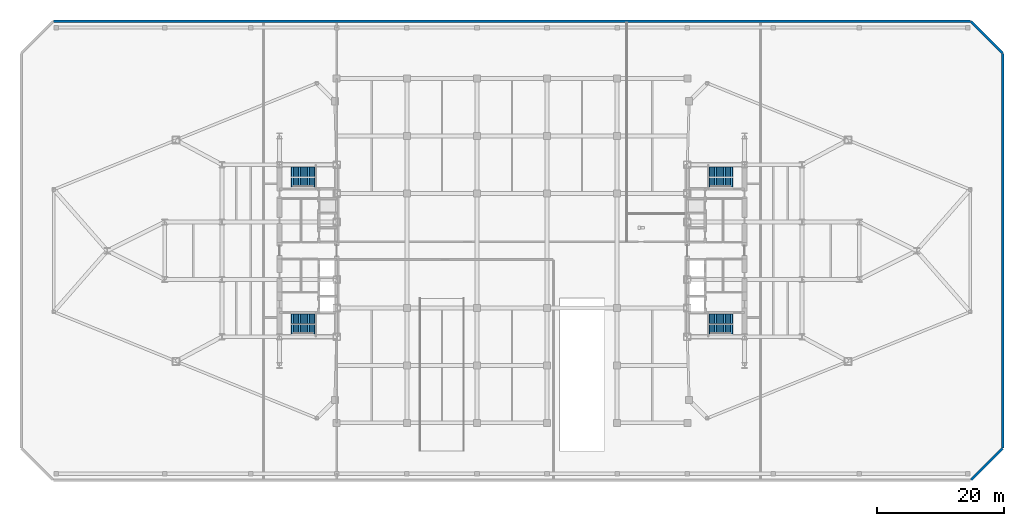
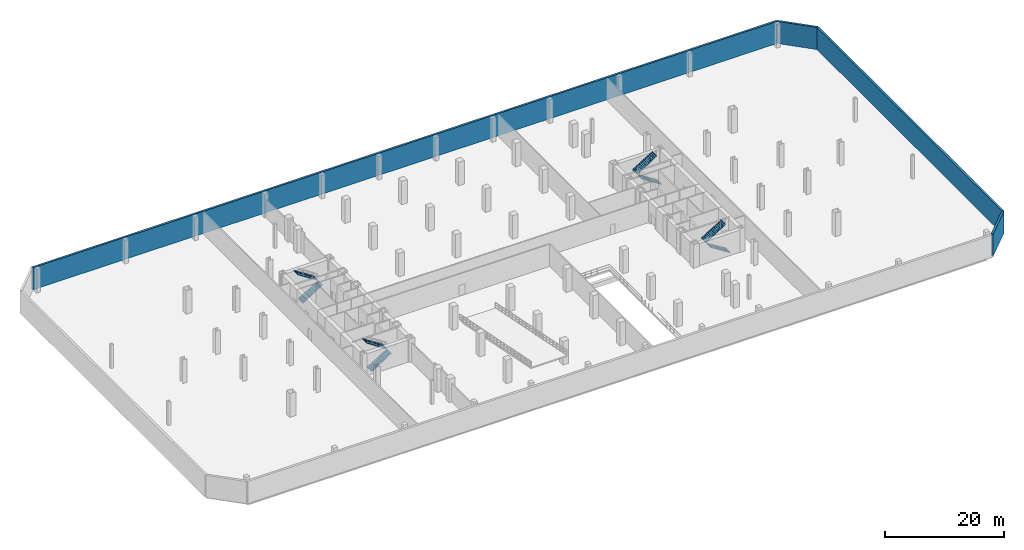
# One storey, part 15 of 18: 8 stair flights, 4 walls, 4 elements without a shape of their own.
"""IFC4 building model written with IfcOpenShell, lengths in metres."""

import ifcopenshell
import ifcopenshell.guid

model = None  # the IFC model being written
_history = None  # IfcOwnerHistory: only IFC2X3 demands one
_inside = {}  # id of a spatial element -> (the spatial element, [elements in it])
_under = {}  # id of a project, library or spatial element -> (it, [spatial elements below it])
_declared = {}  # id of a project -> (the project, [libraries it declares])
_typed = {}  # id of a type object -> (the type object, [elements of that type])
_made_of = {}  # id of a material, layer set ... -> (it, [elements and type objects made of it])


def new_model(schema):
    """Start an empty IFC model of exactly this schema.

    Asked for "IFC4X3", IfcOpenShell would pick the latest addendum, in which some entities
    have other attributes; the version numbers below select the first issue.
    IFC2X3 requires an IfcOwnerHistory on every rooted entity: one is made here for all.
    """
    global model, _history
    if schema == "IFC4X3":
        model = ifcopenshell.file(schema_version=(4, 3, 0, 0))
    else:
        model = ifcopenshell.file(schema=schema)
    _inside.clear()
    _under.clear()
    _declared.clear()
    _typed.clear()
    _made_of.clear()
    _history = None
    if model.schema == "IFC2X3":
        org = make("IfcOrganization", Name="unknown")
        user = make(
            "IfcPersonAndOrganization",
            ThePerson=make("IfcPerson", FamilyName="unknown"),
            TheOrganization=org,
        )
        app = make(
            "IfcApplication",
            ApplicationDeveloper=org,
            Version="unknown",
            ApplicationFullName="unknown",
            ApplicationIdentifier="unknown",
        )
        _history = make(
            "IfcOwnerHistory",
            OwningUser=user,
            OwningApplication=app,
            ChangeAction="ADDED",
            CreationDate=0,
        )
    return model


def make(cls, **values):
    """One entity of the class cls with the attributes given. An attribute that is None is left unset."""
    return model.create_entity(
        cls, **{name: value for name, value in values.items() if value is not None}
    )


def rooted(cls, **values):
    """An entity with a GlobalId (a new one), such as an element, a storey or a relation."""
    return make(cls, GlobalId=ifcopenshell.guid.new(), OwnerHistory=_history, **values)


def si_unit(unit_type, name, prefix=None):
    """IfcSIUnit, for example si_unit("LENGTHUNIT", "METRE", prefix="MILLI")."""
    return make("IfcSIUnit", UnitType=unit_type, Prefix=prefix, Name=name)


def assignment(units):
    """IfcUnitAssignment: the units of a project."""
    return None if units is None else make("IfcUnitAssignment", Units=units)


def point(xyz):
    """IfcCartesianPoint."""
    return None if xyz is None else make("IfcCartesianPoint", Coordinates=xyz)


def direction(xyz):
    """IfcDirection."""
    return None if xyz is None else make("IfcDirection", DirectionRatios=xyz)


def frame(location, z_axis=None, x_axis=None):
    """IfcAxis2Placement3D, a coordinate frame: its origin and axes. An axis left out is left unset."""
    return make(
        "IfcAxis2Placement3D",
        Location=point(location),
        Axis=direction(z_axis),
        RefDirection=direction(x_axis),
    )


def frame_2d(location, x_axis=None):
    """IfcAxis2Placement2D, a coordinate frame in the plane: its origin and x axis."""
    return make(
        "IfcAxis2Placement2D", Location=point(location), RefDirection=direction(x_axis)
    )


def origin():
    """The frame at (0, 0, 0) with its axes left unset."""
    return frame((0.0, 0.0, 0.0))


def place(relative_to, where):
    """IfcLocalPlacement: puts the frame where relative to a parent placement (None: the world)."""
    return make(
        "IfcLocalPlacement", PlacementRelTo=relative_to, RelativePlacement=where
    )


def context(
    kind, dimensions, precision=None, world=None, true_north=None, identifier=None
):
    """IfcGeometricRepresentationContext, for example the 3D "Model" context."""
    return make(
        "IfcGeometricRepresentationContext",
        ContextIdentifier=identifier,
        ContextType=kind,
        CoordinateSpaceDimension=dimensions,
        Precision=precision,
        WorldCoordinateSystem=world,
        TrueNorth=true_north,
    )


def subcontext(parent, identifier, kind, view, scale=None):
    """IfcGeometricRepresentationSubContext, for example "Body" below "Model"."""
    return make(
        "IfcGeometricRepresentationSubContext",
        ContextIdentifier=identifier,
        ContextType=kind,
        ParentContext=parent,
        TargetScale=scale,
        TargetView=view,
    )


def project(units=None, contexts=None):
    """IfcProject with its units and contexts."""
    return rooted(
        "IfcProject",
        Name="project",
        RepresentationContexts=contexts,
        UnitsInContext=assignment(units),
    )


def spatial(cls, under=None, at=None, **own):
    """A site, building, storey or space (cls), placed at a placement, below another one or the project."""
    s = rooted(cls, ObjectPlacement=at, **own)
    if under is not None:
        _under.setdefault(under.id(), (under, []))[1].append(s)
    return s


def polyline(points):
    """IfcPolyline through the points."""
    return make("IfcPolyline", Points=[point(p) for p in points])


def profile(cls, at=None, kind="AREA", **sizes):
    """A parametric profile (cls). Its sizes go by their IFC names, for example OverallWidth=200.0."""
    return make(cls, ProfileType=kind, Position=at, **sizes)


def rectangle(**sizes):
    """IfcRectangleProfileDef."""
    return profile("IfcRectangleProfileDef", **sizes)


def outline(outer, holes=None, kind="AREA"):
    """IfcArbitraryClosedProfileDef: a profile drawn as a closed curve; with holes, ...WithVoids."""
    if holes is None:
        return make("IfcArbitraryClosedProfileDef", ProfileType=kind, OuterCurve=outer)
    return make(
        "IfcArbitraryProfileDefWithVoids",
        ProfileType=kind,
        OuterCurve=outer,
        InnerCurves=holes,
    )


def extrude(swept, where, along, depth):
    """IfcExtrudedAreaSolid: the profile swept, set in the frame where, extruded along a direction by depth."""
    return make(
        "IfcExtrudedAreaSolid",
        SweptArea=swept,
        Position=where,
        ExtrudedDirection=direction(along),
        Depth=depth,
    )


def shape(context_of_items, identifier, shape_type, items):
    """IfcShapeRepresentation: the items that make up one representation, for example the "Body"."""
    return make(
        "IfcShapeRepresentation",
        ContextOfItems=context_of_items,
        RepresentationIdentifier=identifier,
        RepresentationType=shape_type,
        Items=items,
    )


def material(Name=None, Category=None):
    """IfcMaterial."""
    return make("IfcMaterial", Name=Name, Category=Category)


def layer(
    of_material, thickness, ventilated=None, Name=None, Category=None, Priority=None
):
    """IfcMaterialLayer: one layer of a wall or slab, of a material (None: an air gap)."""
    return make(
        "IfcMaterialLayer",
        Material=of_material,
        LayerThickness=thickness,
        IsVentilated=ventilated,
        Name=Name,
        Category=Category,
        Priority=Priority,
    )


def layer_set(layers, Name=None):
    """IfcMaterialLayerSet."""
    return make("IfcMaterialLayerSet", MaterialLayers=layers, LayerSetName=Name)


def made_of(thing, what):
    """Note that an element or type object is made of a material, layer set ...; save() writes the relation."""
    if what is not None:
        _made_of.setdefault(what.id(), (what, []))[1].append(thing)
    return thing


def type_object(cls, material=None, **own):
    """A type object (cls), such as IfcWallType, which elements share."""
    return made_of(rooted(cls, **own), material)


def element(
    cls,
    number,
    at=None,
    inside=None,
    cuts=None,
    type_object=None,
    material=None,
    context=None,
    identifier="Body",
    shape_type=None,
    held_by="IfcProductDefinitionShape",
    body=None,
    shapes=None,
    **own,
):
    """One element of the class cls, such as IfcWall. Its Tag is "e" and its number.

    at: its placement. inside: the storey or other place that contains it. cuts: it is an
    opening in that element (IfcRelVoidsElement). A single representation is given by context,
    identifier, shape_type and body (its items); several are given by shapes. held_by: the class
    of the entity that holds the representations. save() writes the other relations.
    """
    e = rooted(cls, Tag="e%d" % number, ObjectPlacement=at, **own)
    if body is not None:
        shapes = [shape(context, identifier, shape_type, body)]
    if shapes is not None:
        e.Representation = make(held_by, Representations=shapes)
    if inside is not None:
        _inside.setdefault(inside.id(), (inside, []))[1].append(e)
    if cuts is not None:
        rooted(
            "IfcRelVoidsElement", RelatingBuildingElement=cuts, RelatedOpeningElement=e
        )
    if type_object is not None:
        _typed.setdefault(type_object.id(), (type_object, []))[1].append(e)
    return made_of(e, material)


def aggregate(whole, parts):
    """IfcRelAggregates: a whole, such as a stair, and the parts it consists of."""
    return rooted("IfcRelAggregates", RelatingObject=whole, RelatedObjects=parts)


def save(model, path):
    """Write the relations noted so far, then the file.

    IfcRelAggregates (storeys below a building ...), IfcRelContainedInSpatialStructure (elements
    in a storey), IfcRelDefinesByType, IfcRelAssociatesMaterial and IfcRelDeclares: one each for
    every whole, place, type object, material and project.
    """
    for whole, parts in _under.values():
        aggregate(whole, parts)
    for where, things in _inside.values():
        rooted(
            "IfcRelContainedInSpatialStructure",
            RelatedElements=things,
            RelatingStructure=where,
        )
    for kind, things in _typed.values():
        rooted("IfcRelDefinesByType", RelatedObjects=things, RelatingType=kind)
    for what, things in _made_of.values():
        rooted("IfcRelAssociatesMaterial", RelatedObjects=things, RelatingMaterial=what)
    for by, libraries in _declared.values():
        rooted("IfcRelDeclares", RelatingContext=by, RelatedDefinitions=libraries)
    model.write(path)


model = new_model("IFC4")

# Units and contexts
model_context = context("Model", 3, precision=1e-05, world=origin(), true_north=direction((0.0, 1.0)))
body_context = subcontext(model_context, "Body", "Model", "MODEL_VIEW")
ifc_project = project(units=[si_unit("LENGTHUNIT", "METRE"), si_unit("AREAUNIT", "SQUARE_METRE"), si_unit("VOLUMEUNIT", "CUBIC_METRE"), si_unit("PLANEANGLEUNIT", "RADIAN"), si_unit("MASSUNIT", "GRAM", prefix="KILO")], contexts=[model_context])

# Site, building, storey
site_placement = place(None, origin())
site = spatial("IfcSite", under=ifc_project, at=site_placement, CompositionType="ELEMENT")
building_placement = place(site_placement, origin())
building = spatial("IfcBuilding", under=site, at=building_placement, Name="Seokmaru Belvedere", CompositionType="ELEMENT")
storey_placement = place(building_placement, frame((0.0, 0.0, -4.800048828125)))
storey = spatial("IfcBuildingStorey", under=building, at=storey_placement, Name="B1", CompositionType="ELEMENT", Elevation=-4.800048828125)

# Walls
ifc_material_1 = material(Name="Concrete C50 (50 MPa)", Category="concrete")
ifc_layer = layer(ifc_material_1, 0.39990234375)
ifc_layer_set = layer_set([ifc_layer], Name="Concrete C50 (50 MPa)")
wall_type = type_object("IfcWallType", Name="Upper Basement Retaining Wall 400", PredefinedType="USERDEFINED", material=ifc_layer_set)
wall_1_placement = place(storey_placement, frame((72.0283203125, -35.9716796875, 0.0), z_axis=(0.0, 0.0, 1.0), x_axis=(0.707106781187, 0.707106781187, 0.0)))
element("IfcWall", 1, at=wall_1_placement, inside=storey, type_object=wall_type, Name="B1 Perimeter Retaining Wall 2", ObjectType="RETAININGWALL", PredefinedType="USERDEFINED", context=body_context, shape_type="SweptSolid", body=[
    extrude(rectangle(XDim=6.990966796875, YDim=0.39990234375, at=frame_2d((3.49560546875, 0.0))), origin(), (0.0, 0.0, 1.0), 4.52001953125),
])
wall_2_placement = place(storey_placement, frame((77.0, -30.9599609375, 0.0), z_axis=(0.0, 0.0, 1.0), x_axis=(0.0, 1.0, 0.0)))
element("IfcWall", 2, at=wall_2_placement, inside=storey, type_object=wall_type, Name="B1 Perimeter Retaining Wall 3", ObjectType="RETAININGWALL", PredefinedType="USERDEFINED", context=body_context, shape_type="SweptSolid", body=[
    extrude(rectangle(XDim=61.919921875, YDim=0.39990234375, at=frame_2d((30.9599609375, 0.0))), origin(), (0.0, 0.0, 1.0), 4.52001953125),
])
wall_3_placement = place(storey_placement, frame((76.9716796875, 31.0283203125, 0.0), z_axis=(0.0, 0.0, 1.0), x_axis=(-0.707106781187, 0.707106781187, 0.0)))
element("IfcWall", 3, at=wall_3_placement, inside=storey, type_object=wall_type, Name="B1 Perimeter Retaining Wall 4", ObjectType="RETAININGWALL", PredefinedType="USERDEFINED", context=body_context, shape_type="SweptSolid", body=[
    extrude(rectangle(XDim=6.990966796875, YDim=0.39990234375, at=frame_2d((3.49560546875, 0.0))), origin(), (0.0, 0.0, 1.0), 4.52001953125),
])
wall_4_placement = place(storey_placement, frame((71.9599609375, 36.0, 0.0), z_axis=(0.0, 0.0, 1.0), x_axis=(-1.0, 0.0, 0.0)))
element("IfcWall", 4, at=wall_4_placement, inside=storey, type_object=wall_type, Name="B1 Perimeter Retaining Wall 5", ObjectType="RETAININGWALL", PredefinedType="USERDEFINED", context=body_context, shape_type="SweptSolid", body=[
    extrude(rectangle(XDim=143.919921875, YDim=0.39990234375, at=frame_2d((71.9599609375, 0.0))), origin(), (0.0, 0.0, 1.0), 4.52001953125),
])

# Stair, stair flights
ifc_material_2 = material(Name="Concrete C40 (40 MPa)", Category="concrete")
stair_type = type_object("IfcStairType", Name="Basement Core Dog-Leg Stair 4800", PredefinedType="TWO_STRAIGHT_RUN_STAIR", material=ifc_material_2)
stair_1_placement = place(storey_placement, origin())
stair_1 = element("IfcStair", 5, at=stair_1_placement, inside=storey, type_object=stair_type, Name="B1 Special Escape Stair ST-W1", PredefinedType="TWO_STRAIGHT_RUN_STAIR")
stair_flight_type = type_object("IfcStairFlightType", Name="Reinforced Concrete Stair Flight 1500", PredefinedType="STRAIGHT", material=ifc_material_2)
stair_flight_1_placement = place(storey_placement, frame((-34.60009765625, -12.35009765625, 0.0), z_axis=(0.0, 0.0, 1.0), x_axis=(1.0, 0.0, 0.0)))
stair_flight_1 = element("IfcStairFlight", 6, at=stair_flight_1_placement, type_object=stair_flight_type, Name="ST-W1 flight 1", NumberOfRisers=14, NumberOfTreads=13, PredefinedType="STRAIGHT", RiserHeight=0.171428571, TreadLength=0.28, context=body_context, shape_type="SweptSolid", body=[
    extrude(outline(polyline([(-0.080078125, 0.0), (0.0, 0.17138671875), (0.280029296875, 0.17138671875), (0.280029296875, 0.3427734375), (0.56005859375, 0.3427734375), (0.56005859375, 0.514404296875), (0.840087890625, 0.514404296875), (0.840087890625, 0.685791015625), (1.1201171875, 0.685791015625), (1.1201171875, 0.857177734375), (1.39990234375, 0.857177734375), (1.39990234375, 1.028564453125), (1.679931640625, 1.028564453125), (1.679931640625, 1.199951171875), (1.9599609375, 1.199951171875), (1.9599609375, 1.371337890625), (2.239990234375, 1.371337890625), (2.239990234375, 1.54296875), (2.52001953125, 1.54296875), (2.52001953125, 1.71435546875), (2.800048828125, 1.71435546875), (2.800048828125, 1.8857421875), (3.080078125, 1.8857421875), (3.080078125, 2.05712890625), (3.360107421875, 2.05712890625), (3.360107421875, 2.228515625), (3.639892578125, 2.228515625), (3.639892578125, 2.39990234375), (3.719970703125, 2.39990234375), (3.719970703125, 2.2099609375), (3.639892578125, 2.2099609375), (0.0, -0.159912109375), (-0.080078125, -0.159912109375), (-0.080078125, 0.0)])), frame((0.0, 0.75, 0.0), z_axis=(0.0, -1.0, 0.0), x_axis=(1.0, 0.0, 0.0)), (0.0, 0.0, 1.0), 1.5),
])
stair_flight_2_placement = place(storey_placement, frame((-30.9599609375, -10.7099609375, 2.400146484375), z_axis=(0.0, 0.0, 1.0), x_axis=(-1.0, 0.0, 0.0)))
stair_flight_2 = element("IfcStairFlight", 7, at=stair_flight_2_placement, type_object=stair_flight_type, Name="ST-W1 flight 2", NumberOfRisers=14, NumberOfTreads=13, PredefinedType="STRAIGHT", RiserHeight=0.171428571, TreadLength=0.28, context=body_context, shape_type="SweptSolid", body=[
    extrude(outline(polyline([(-0.080078125, 0.0), (0.0, 0.17138671875), (0.280029296875, 0.17138671875), (0.280029296875, 0.3427734375), (0.56005859375, 0.3427734375), (0.56005859375, 0.514404296875), (0.840087890625, 0.514404296875), (0.840087890625, 0.685791015625), (1.1201171875, 0.685791015625), (1.1201171875, 0.857177734375), (1.39990234375, 0.857177734375), (1.39990234375, 1.028564453125), (1.679931640625, 1.028564453125), (1.679931640625, 1.199951171875), (1.9599609375, 1.199951171875), (1.9599609375, 1.371337890625), (2.239990234375, 1.371337890625), (2.239990234375, 1.54296875), (2.52001953125, 1.54296875), (2.52001953125, 1.71435546875), (2.800048828125, 1.71435546875), (2.800048828125, 1.8857421875), (3.080078125, 1.8857421875), (3.080078125, 2.05712890625), (3.360107421875, 2.05712890625), (3.360107421875, 2.228515625), (3.639892578125, 2.228515625), (3.639892578125, 2.39990234375), (3.719970703125, 2.39990234375), (3.719970703125, 2.2099609375), (3.639892578125, 2.2099609375), (0.0, -0.159912109375), (-0.080078125, -0.159912109375), (-0.080078125, 0.0)])), frame((0.0, 0.75, 0.0), z_axis=(0.0, -1.0, 0.0), x_axis=(1.0, 0.0, 0.0)), (0.0, 0.0, 1.0), 1.5),
])
aggregate(stair_1, [stair_flight_1, stair_flight_2])

stair_2_placement = place(storey_placement, origin())
stair_2 = element("IfcStair", 8, at=stair_2_placement, inside=storey, type_object=stair_type, Name="B1 Special Escape Stair ST-W2", PredefinedType="TWO_STRAIGHT_RUN_STAIR")
stair_flight_3_placement = place(storey_placement, frame((-34.60009765625, 10.7099609375, 0.0), z_axis=(0.0, 0.0, 1.0), x_axis=(1.0, 0.0, 0.0)))
stair_flight_3 = element("IfcStairFlight", 9, at=stair_flight_3_placement, type_object=stair_flight_type, Name="ST-W2 flight 1", NumberOfRisers=14, NumberOfTreads=13, PredefinedType="STRAIGHT", RiserHeight=0.171428571, TreadLength=0.28, context=body_context, shape_type="SweptSolid", body=[
    extrude(outline(polyline([(-0.080078125, 0.0), (0.0, 0.17138671875), (0.280029296875, 0.17138671875), (0.280029296875, 0.3427734375), (0.56005859375, 0.3427734375), (0.56005859375, 0.514404296875), (0.840087890625, 0.514404296875), (0.840087890625, 0.685791015625), (1.1201171875, 0.685791015625), (1.1201171875, 0.857177734375), (1.39990234375, 0.857177734375), (1.39990234375, 1.028564453125), (1.679931640625, 1.028564453125), (1.679931640625, 1.199951171875), (1.9599609375, 1.199951171875), (1.9599609375, 1.371337890625), (2.239990234375, 1.371337890625), (2.239990234375, 1.54296875), (2.52001953125, 1.54296875), (2.52001953125, 1.71435546875), (2.800048828125, 1.71435546875), (2.800048828125, 1.8857421875), (3.080078125, 1.8857421875), (3.080078125, 2.05712890625), (3.360107421875, 2.05712890625), (3.360107421875, 2.228515625), (3.639892578125, 2.228515625), (3.639892578125, 2.39990234375), (3.719970703125, 2.39990234375), (3.719970703125, 2.2099609375), (3.639892578125, 2.2099609375), (0.0, -0.159912109375), (-0.080078125, -0.159912109375), (-0.080078125, 0.0)])), frame((0.0, 0.75, 0.0), z_axis=(0.0, -1.0, 0.0), x_axis=(1.0, 0.0, 0.0)), (0.0, 0.0, 1.0), 1.5),
])
stair_flight_4_placement = place(storey_placement, frame((-30.9599609375, 12.35009765625, 2.400146484375), z_axis=(0.0, 0.0, 1.0), x_axis=(-1.0, 0.0, 0.0)))
stair_flight_4 = element("IfcStairFlight", 10, at=stair_flight_4_placement, type_object=stair_flight_type, Name="ST-W2 flight 2", NumberOfRisers=14, NumberOfTreads=13, PredefinedType="STRAIGHT", RiserHeight=0.171428571, TreadLength=0.28, context=body_context, shape_type="SweptSolid", body=[
    extrude(outline(polyline([(-0.080078125, 0.0), (0.0, 0.17138671875), (0.280029296875, 0.17138671875), (0.280029296875, 0.3427734375), (0.56005859375, 0.3427734375), (0.56005859375, 0.514404296875), (0.840087890625, 0.514404296875), (0.840087890625, 0.685791015625), (1.1201171875, 0.685791015625), (1.1201171875, 0.857177734375), (1.39990234375, 0.857177734375), (1.39990234375, 1.028564453125), (1.679931640625, 1.028564453125), (1.679931640625, 1.199951171875), (1.9599609375, 1.199951171875), (1.9599609375, 1.371337890625), (2.239990234375, 1.371337890625), (2.239990234375, 1.54296875), (2.52001953125, 1.54296875), (2.52001953125, 1.71435546875), (2.800048828125, 1.71435546875), (2.800048828125, 1.8857421875), (3.080078125, 1.8857421875), (3.080078125, 2.05712890625), (3.360107421875, 2.05712890625), (3.360107421875, 2.228515625), (3.639892578125, 2.228515625), (3.639892578125, 2.39990234375), (3.719970703125, 2.39990234375), (3.719970703125, 2.2099609375), (3.639892578125, 2.2099609375), (0.0, -0.159912109375), (-0.080078125, -0.159912109375), (-0.080078125, 0.0)])), frame((0.0, 0.75, 0.0), z_axis=(0.0, -1.0, 0.0), x_axis=(1.0, 0.0, 0.0)), (0.0, 0.0, 1.0), 1.5),
])
aggregate(stair_2, [stair_flight_3, stair_flight_4])

stair_3_placement = place(storey_placement, origin())
stair_3 = element("IfcStair", 11, at=stair_3_placement, inside=storey, type_object=stair_type, Name="B1 Special Escape Stair ST-E1", PredefinedType="TWO_STRAIGHT_RUN_STAIR")
stair_flight_5_placement = place(storey_placement, frame((34.60009765625, -12.35009765625, 0.0), z_axis=(0.0, 0.0, 1.0), x_axis=(-1.0, 0.0, 0.0)))
stair_flight_5 = element("IfcStairFlight", 12, at=stair_flight_5_placement, type_object=stair_flight_type, Name="ST-E1 flight 1", NumberOfRisers=14, NumberOfTreads=13, PredefinedType="STRAIGHT", RiserHeight=0.171428571, TreadLength=0.28, context=body_context, shape_type="SweptSolid", body=[
    extrude(outline(polyline([(-0.080078125, 0.0), (0.0, 0.17138671875), (0.280029296875, 0.17138671875), (0.280029296875, 0.3427734375), (0.56005859375, 0.3427734375), (0.56005859375, 0.514404296875), (0.840087890625, 0.514404296875), (0.840087890625, 0.685791015625), (1.1201171875, 0.685791015625), (1.1201171875, 0.857177734375), (1.39990234375, 0.857177734375), (1.39990234375, 1.028564453125), (1.679931640625, 1.028564453125), (1.679931640625, 1.199951171875), (1.9599609375, 1.199951171875), (1.9599609375, 1.371337890625), (2.239990234375, 1.371337890625), (2.239990234375, 1.54296875), (2.52001953125, 1.54296875), (2.52001953125, 1.71435546875), (2.800048828125, 1.71435546875), (2.800048828125, 1.8857421875), (3.080078125, 1.8857421875), (3.080078125, 2.05712890625), (3.360107421875, 2.05712890625), (3.360107421875, 2.228515625), (3.639892578125, 2.228515625), (3.639892578125, 2.39990234375), (3.719970703125, 2.39990234375), (3.719970703125, 2.2099609375), (3.639892578125, 2.2099609375), (0.0, -0.159912109375), (-0.080078125, -0.159912109375), (-0.080078125, 0.0)])), frame((0.0, 0.75, 0.0), z_axis=(0.0, -1.0, 0.0), x_axis=(1.0, 0.0, 0.0)), (0.0, 0.0, 1.0), 1.5),
])
stair_flight_6_placement = place(storey_placement, frame((30.9599609375, -10.7099609375, 2.400146484375), z_axis=(0.0, 0.0, 1.0), x_axis=(1.0, 0.0, 0.0)))
stair_flight_6 = element("IfcStairFlight", 13, at=stair_flight_6_placement, type_object=stair_flight_type, Name="ST-E1 flight 2", NumberOfRisers=14, NumberOfTreads=13, PredefinedType="STRAIGHT", RiserHeight=0.171428571, TreadLength=0.28, context=body_context, shape_type="SweptSolid", body=[
    extrude(outline(polyline([(-0.080078125, 0.0), (0.0, 0.17138671875), (0.280029296875, 0.17138671875), (0.280029296875, 0.3427734375), (0.56005859375, 0.3427734375), (0.56005859375, 0.514404296875), (0.840087890625, 0.514404296875), (0.840087890625, 0.685791015625), (1.1201171875, 0.685791015625), (1.1201171875, 0.857177734375), (1.39990234375, 0.857177734375), (1.39990234375, 1.028564453125), (1.679931640625, 1.028564453125), (1.679931640625, 1.199951171875), (1.9599609375, 1.199951171875), (1.9599609375, 1.371337890625), (2.239990234375, 1.371337890625), (2.239990234375, 1.54296875), (2.52001953125, 1.54296875), (2.52001953125, 1.71435546875), (2.800048828125, 1.71435546875), (2.800048828125, 1.8857421875), (3.080078125, 1.8857421875), (3.080078125, 2.05712890625), (3.360107421875, 2.05712890625), (3.360107421875, 2.228515625), (3.639892578125, 2.228515625), (3.639892578125, 2.39990234375), (3.719970703125, 2.39990234375), (3.719970703125, 2.2099609375), (3.639892578125, 2.2099609375), (0.0, -0.159912109375), (-0.080078125, -0.159912109375), (-0.080078125, 0.0)])), frame((0.0, 0.75, 0.0), z_axis=(0.0, -1.0, 0.0), x_axis=(1.0, 0.0, 0.0)), (0.0, 0.0, 1.0), 1.5),
])
aggregate(stair_3, [stair_flight_5, stair_flight_6])

stair_4_placement = place(storey_placement, origin())
stair_4 = element("IfcStair", 14, at=stair_4_placement, inside=storey, type_object=stair_type, Name="B1 Special Escape Stair ST-E2", PredefinedType="TWO_STRAIGHT_RUN_STAIR")
stair_flight_7_placement = place(storey_placement, frame((34.60009765625, 10.7099609375, 0.0), z_axis=(0.0, 0.0, 1.0), x_axis=(-1.0, 0.0, 0.0)))
stair_flight_7 = element("IfcStairFlight", 15, at=stair_flight_7_placement, type_object=stair_flight_type, Name="ST-E2 flight 1", NumberOfRisers=14, NumberOfTreads=13, PredefinedType="STRAIGHT", RiserHeight=0.171428571, TreadLength=0.28, context=body_context, shape_type="SweptSolid", body=[
    extrude(outline(polyline([(-0.080078125, 0.0), (0.0, 0.17138671875), (0.280029296875, 0.17138671875), (0.280029296875, 0.3427734375), (0.56005859375, 0.3427734375), (0.56005859375, 0.514404296875), (0.840087890625, 0.514404296875), (0.840087890625, 0.685791015625), (1.1201171875, 0.685791015625), (1.1201171875, 0.857177734375), (1.39990234375, 0.857177734375), (1.39990234375, 1.028564453125), (1.679931640625, 1.028564453125), (1.679931640625, 1.199951171875), (1.9599609375, 1.199951171875), (1.9599609375, 1.371337890625), (2.239990234375, 1.371337890625), (2.239990234375, 1.54296875), (2.52001953125, 1.54296875), (2.52001953125, 1.71435546875), (2.800048828125, 1.71435546875), (2.800048828125, 1.8857421875), (3.080078125, 1.8857421875), (3.080078125, 2.05712890625), (3.360107421875, 2.05712890625), (3.360107421875, 2.228515625), (3.639892578125, 2.228515625), (3.639892578125, 2.39990234375), (3.719970703125, 2.39990234375), (3.719970703125, 2.2099609375), (3.639892578125, 2.2099609375), (0.0, -0.159912109375), (-0.080078125, -0.159912109375), (-0.080078125, 0.0)])), frame((0.0, 0.75, 0.0), z_axis=(0.0, -1.0, 0.0), x_axis=(1.0, 0.0, 0.0)), (0.0, 0.0, 1.0), 1.5),
])
stair_flight_8_placement = place(storey_placement, frame((30.9599609375, 12.35009765625, 2.400146484375), z_axis=(0.0, 0.0, 1.0), x_axis=(1.0, 0.0, 0.0)))
stair_flight_8 = element("IfcStairFlight", 16, at=stair_flight_8_placement, type_object=stair_flight_type, Name="ST-E2 flight 2", NumberOfRisers=14, NumberOfTreads=13, PredefinedType="STRAIGHT", RiserHeight=0.171428571, TreadLength=0.28, context=body_context, shape_type="SweptSolid", body=[
    extrude(outline(polyline([(-0.080078125, 0.0), (0.0, 0.17138671875), (0.280029296875, 0.17138671875), (0.280029296875, 0.3427734375), (0.56005859375, 0.3427734375), (0.56005859375, 0.514404296875), (0.840087890625, 0.514404296875), (0.840087890625, 0.685791015625), (1.1201171875, 0.685791015625), (1.1201171875, 0.857177734375), (1.39990234375, 0.857177734375), (1.39990234375, 1.028564453125), (1.679931640625, 1.028564453125), (1.679931640625, 1.199951171875), (1.9599609375, 1.199951171875), (1.9599609375, 1.371337890625), (2.239990234375, 1.371337890625), (2.239990234375, 1.54296875), (2.52001953125, 1.54296875), (2.52001953125, 1.71435546875), (2.800048828125, 1.71435546875), (2.800048828125, 1.8857421875), (3.080078125, 1.8857421875), (3.080078125, 2.05712890625), (3.360107421875, 2.05712890625), (3.360107421875, 2.228515625), (3.639892578125, 2.228515625), (3.639892578125, 2.39990234375), (3.719970703125, 2.39990234375), (3.719970703125, 2.2099609375), (3.639892578125, 2.2099609375), (0.0, -0.159912109375), (-0.080078125, -0.159912109375), (-0.080078125, 0.0)])), frame((0.0, 0.75, 0.0), z_axis=(0.0, -1.0, 0.0), x_axis=(1.0, 0.0, 0.0)), (0.0, 0.0, 1.0), 1.5),
])
aggregate(stair_4, [stair_flight_7, stair_flight_8])

save(model, "model.ifc")
